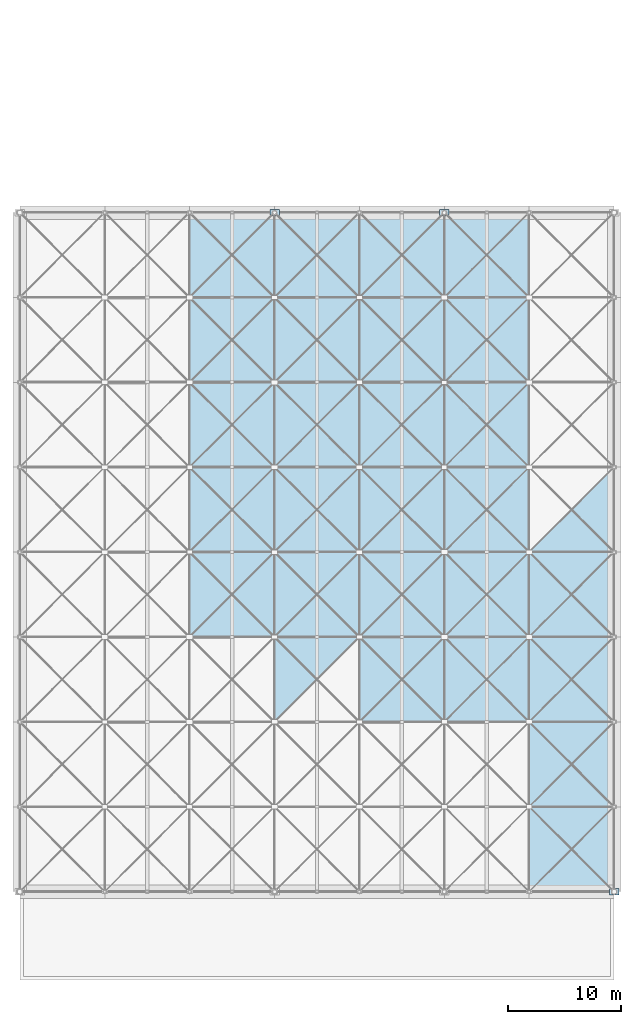
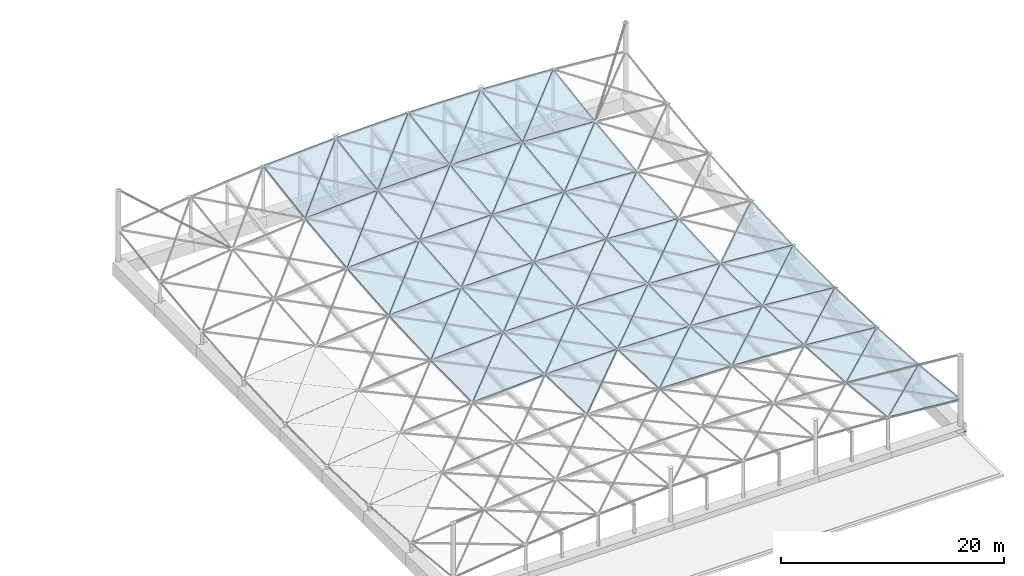
# One storey, part 11 of 17: 54 slabs, 3 plates.
"""IFC4 building model written with IfcOpenShell, lengths in metres."""

from ifc_helpers import new_model, si_unit, direction, frame, origin, origin_2d, place, context, subcontext, project, spatial, polyline, rectangle, outline, extrude, material, layer, layer_set, type_object, element, save


model = new_model("IFC4")

# Units and contexts
model_context = context("Model", 3, precision=1e-05, world=origin(), true_north=direction((0.0, 1.0)))
body_context = subcontext(model_context, "Body", "Model", "MODEL_VIEW")
ifc_project = project(units=[si_unit("LENGTHUNIT", "METRE"), si_unit("AREAUNIT", "SQUARE_METRE"), si_unit("VOLUMEUNIT", "CUBIC_METRE"), si_unit("PLANEANGLEUNIT", "RADIAN"), si_unit("MASSUNIT", "GRAM", prefix="KILO")], contexts=[model_context])

# Site, building, storey
site_placement = place(None, origin())
site = spatial("IfcSite", under=ifc_project, at=site_placement, CompositionType="ELEMENT")
building_placement = place(site_placement, origin())
building = spatial("IfcBuilding", under=site, at=building_placement, Name="Qasida Concert Hall", CompositionType="ELEMENT")
storey_placement = place(building_placement, frame((0.0, 0.0, 25.199951171875)))
storey = spatial("IfcBuildingStorey", under=building, at=storey_placement, Name="RF", CompositionType="ELEMENT", Elevation=25.199951171875)

# Plates
ifc_material_1 = material(Name="Steel S355J2", Category="steel")
ifc_layer_1 = layer(ifc_material_1, 0.0400390625, Name="Steel S355J2")
ifc_layer_set_1 = layer_set([ifc_layer_1], Name="Steel S355J2")
plate_type = type_object("IfcPlateType", Name="PLT-PL-MB1", PredefinedType="USERDEFINED", material=ifc_layer_set_1)
for number, where, z_axis, x_axis, name in (
    (1, (105.0, 22.5, 0.0), (0.0, 0.0, 1.0), (1.0, 0.0, 0.0), "Cable-net mast baseplate MS-02"),
    (2, (75.0, 82.5, 0.0), (0.0, 0.0, 1.0), (1.0, 0.0, 0.0), "Cable-net mast baseplate MS-07"),
    (3, (90.0, 82.5, 0.0), (0.0, 0.0, 1.0), (1.0, 0.0, 0.0), "Cable-net mast baseplate MS-08"),
):
    element("IfcPlate", number, at=place(storey_placement, frame(where, z_axis=z_axis, x_axis=x_axis)), inside=storey, type_object=plate_type, Name=name, ObjectType="GUSSET_PLATE", PredefinedType="USERDEFINED", context=body_context, shape_type="SweptSolid", body=[
        extrude(rectangle(XDim=0.840087890625, YDim=0.580078125, at=origin_2d()), origin(), (0.0, 0.0, 1.0), 0.0400390625),
    ])

# Slabs
ifc_material_2 = material(Name="Concrete C40/50", Category="concrete")
ifc_layer_2 = layer(ifc_material_2, 0.179931640625, Name="Concrete C40/50")
ifc_layer_set_2 = layer_set([ifc_layer_2], Name="Concrete C40/50")
slab_type = type_object("IfcSlabType", Name="SL-RS-180", PredefinedType="USERDEFINED", material=ifc_layer_set_2)
slab_1_placement = place(storey_placement, frame((67.5, 45.0, 2.686279296875), z_axis=(-0.056773929174, -0.009976872499, 0.998337209054), x_axis=(0.998386899, 0.0, 0.056776754966)))
element("IfcSlab", 4, at=slab_1_placement, inside=storey, type_object=slab_type, Name="Cable-net roof facet 039", ObjectType="TENSILE_ROOF_SHELL", PredefinedType="USERDEFINED", context=body_context, shape_type="SweptSolid", body=[
    extrude(outline(polyline([(0.0, 0.0), (7.5121178047403045, 0.0), (7.516373289060262, 7.500373295311284), (0.0, 0.0)])), origin(), (0.0, 0.0, -1.0), 0.179931640625),
])
slab_2_placement = place(storey_placement, frame((67.5, 45.0, 2.686279296875), z_axis=(-0.056773929174, -0.009976872499, 0.998337209054), x_axis=(0.706317819089, 0.706317819089, 0.047225807305)))
element("IfcSlab", 5, at=slab_2_placement, inside=storey, type_object=slab_type, Name="Cable-net roof facet 040", ObjectType="TENSILE_ROOF_SHELL", PredefinedType="USERDEFINED", context=body_context, shape_type="SweptSolid", body=[
    extrude(outline(polyline([(0.0, 0.0), (10.618449368411436, 9.992007221626409e-16), (5.300923272765394, 5.306206755717277), (0.0, 0.0)])), origin(), (0.0, 0.0, -1.0), 0.179931640625),
])
slab_3_placement = place(storey_placement, frame((67.5, 52.5, 2.76123046875), z_axis=(-0.056715196549, -0.046553859102, 0.997304429291), x_axis=(0.998386899, 0.0, 0.056776754966)))
element("IfcSlab", 6, at=slab_3_placement, inside=storey, type_object=slab_type, Name="Cable-net roof facet 041", ObjectType="TENSILE_ROOF_SHELL", PredefinedType="USERDEFINED", context=body_context, shape_type="SweptSolid", body=[
    extrude(outline(polyline([(0.0, 0.0), (7.5121178047403045, -3.469446951953614e-18), (7.53199521358336, 7.508140466022825), (0.0, 0.0)])), origin(), (0.0, 0.0, -1.0), 0.179931640625),
])
slab_4_placement = place(storey_placement, frame((67.5, 52.5, 2.76123046875), z_axis=(-0.056715196549, -0.046553859102, 0.997304429291), x_axis=(0.705218929047, 0.705218929047, 0.073024134548)))
element("IfcSlab", 7, at=slab_4_placement, inside=storey, type_object=slab_type, Name="Cable-net roof facet 042", ObjectType="TENSILE_ROOF_SHELL", PredefinedType="USERDEFINED", context=body_context, shape_type="SweptSolid", body=[
    extrude(outline(polyline([(0.0, 0.0), (10.63499530582746, 5.698566618583811e-16), (5.314707546210436, 5.303437759337389), (0.0, 0.0)])), origin(), (0.0, 0.0, -1.0), 0.179931640625),
])
slab_5_placement = place(storey_placement, frame((67.5, 60.0, 3.111328125), z_axis=(-0.056581263281, -0.082912440756, 0.994949289066), x_axis=(0.998386899, 0.0, 0.056776754966)))
element("IfcSlab", 8, at=slab_5_placement, inside=storey, type_object=slab_type, Name="Cable-net roof facet 043", ObjectType="TENSILE_ROOF_SHELL", PredefinedType="USERDEFINED", context=body_context, shape_type="SweptSolid", body=[
    extrude(outline(polyline([(0.0, 0.0), (7.5121178047403045, -6.938893903907228e-18), (7.547603276594016, 7.525912953342427), (0.0, 0.0)])), origin(), (0.0, 0.0, -1.0), 0.179931640625),
])
slab_6_placement = place(storey_placement, frame((67.5, 60.0, 3.111328125), z_axis=(-0.056581263281, -0.082912440756, 0.994949289066), x_axis=(0.703657366658, 0.703657366658, 0.098654045514)))
element("IfcSlab", 9, at=slab_6_placement, inside=storey, type_object=slab_type, Name="Cable-net roof facet 044", ObjectType="TENSILE_ROOF_SHELL", PredefinedType="USERDEFINED", context=body_context, shape_type="SweptSolid", body=[
    extrude(outline(polyline([(0.0, 0.0), (10.65859657751151, -1.734723475976807e-17), (5.3390890283801475, 5.304220333567485), (0.0, 0.0)])), origin(), (0.0, 0.0, -1.0), 0.179931640625),
])
slab_7_placement = place(storey_placement, frame((67.5, 67.5, 3.736328125), z_axis=(-0.056373701391, -0.118943024228, 0.991299431443), x_axis=(0.998386899, 0.0, 0.056776754966)))
element("IfcSlab", 10, at=slab_7_placement, inside=storey, type_object=slab_type, Name="Cable-net roof facet 045", ObjectType="TENSILE_ROOF_SHELL", PredefinedType="USERDEFINED", context=body_context, shape_type="SweptSolid", body=[
    extrude(outline(polyline([(0.0, 0.0), (7.5121178047403045, -6.938893903907228e-18), (7.563211339604671, 7.553622553383363), (0.0, 0.0)])), origin(), (0.0, 0.0, -1.0), 0.179931640625),
])
slab_8_placement = place(storey_placement, frame((67.5, 67.5, 3.736328125), z_axis=(-0.056373701391, -0.118943024228, 0.991299431443), x_axis=(0.70164160426, 0.70164160426, 0.124089154816)))
element("IfcSlab", 11, at=slab_8_placement, inside=storey, type_object=slab_type, Name="Cable-net roof facet 046", ObjectType="TENSILE_ROOF_SHELL", PredefinedType="USERDEFINED", context=body_context, shape_type="SweptSolid", body=[
    extrude(outline(polyline([(0.0, 0.0), (10.689217906213088, 1.1796119636642288e-16), (5.37398015320274, 5.3084989913599685), (0.0, 0.0)])), origin(), (0.0, 0.0, -1.0), 0.179931640625),
])
slab_9_placement = place(storey_placement, frame((67.5, 75.0, 4.63623046875), z_axis=(-0.056094658035, -0.154541264524, 0.986392612959), x_axis=(0.998386899, 0.0, 0.056776754966)))
element("IfcSlab", 12, at=slab_9_placement, inside=storey, type_object=slab_type, Name="Cable-net roof facet 047", ObjectType="TENSILE_ROOF_SHELL", PredefinedType="USERDEFINED", context=body_context, shape_type="SweptSolid", body=[
    extrude(outline(polyline([(0.0, 0.0), (7.5121178047403045, 0.0), (7.578833264127771, 7.591198113338675), (0.0, 0.0)])), origin(), (0.0, 0.0, -1.0), 0.179931640625),
])
slab_10_placement = place(storey_placement, frame((67.5, 75.0, 4.63623046875), z_axis=(-0.056094658035, -0.154541264524, 0.986392612959), x_axis=(0.699181032034, 0.699181032034, 0.149304282882)))
element("IfcSlab", 13, at=slab_10_placement, inside=storey, type_object=slab_type, Name="Cable-net roof facet 048", ObjectType="TENSILE_ROOF_SHELL", PredefinedType="USERDEFINED", context=body_context, shape_type="SweptSolid", body=[
    extrude(outline(polyline([(0.0, 0.0), (10.726835621067671, 1.3877787807814457e-16), (5.41929756289189, 5.316197294430669), (0.0, 0.0)])), origin(), (0.0, 0.0, -1.0), 0.179931640625),
])
slab_11_placement = place(storey_placement, frame((75.0, 37.5, 3.312744140625), z_axis=(-0.020951495568, 0.026644836755, 0.999425378659), x_axis=(0.707101044602, 0.707101044602, -0.004028082123)))
element("IfcSlab", 14, at=slab_11_placement, inside=storey, type_object=slab_type, Name="Cable-net roof facet 054", ObjectType="TENSILE_ROOF_SHELL", PredefinedType="USERDEFINED", context=body_context, shape_type="SweptSolid", body=[
    extrude(outline(polyline([(0.0, 0.0), (10.60668776726487, 6.342582709040201e-16), (5.304063254255643, 5.306306951731045), (0.0, 0.0)])), origin(), (0.0, 0.0, -1.0), 0.179931640625),
])
slab_12_placement = place(storey_placement, frame((75.0, 45.0, 3.11279296875), z_axis=(-0.020957890715, -0.009990795729, 0.999730439077), x_axis=(0.999780337359, 0.0, 0.02095893676)))
element("IfcSlab", 15, at=slab_12_placement, inside=storey, type_object=slab_type, Name="Cable-net roof facet 055", ObjectType="TENSILE_ROOF_SHELL", PredefinedType="USERDEFINED", context=body_context, shape_type="SweptSolid", body=[
    extrude(outline(polyline([(0.0, 0.0), (7.5016478317737345, 0.0), (7.503218728645131, 7.5003743380213), (0.0, 0.0)])), origin(), (0.0, 0.0, -1.0), 0.179931640625),
])
slab_13_placement = place(storey_placement, frame((75.0, 45.0, 3.11279296875), z_axis=(-0.020957890715, -0.009990795729, 0.999730439077), x_axis=(0.706937430258, 0.706937430258, 0.02188468412)))
element("IfcSlab", 16, at=slab_13_placement, inside=storey, type_object=slab_type, Name="Cable-net roof facet 056", ObjectType="TENSILE_ROOF_SHELL", PredefinedType="USERDEFINED", context=body_context, shape_type="SweptSolid", body=[
    extrude(outline(polyline([(0.0, 0.0), (10.609142590253914, 4.0549161250957866e-16), (5.303671009659605, 5.3034603326), (0.0, 0.0)])), origin(), (0.0, 0.0, -1.0), 0.179931640625),
])
slab_14_placement = place(storey_placement, frame((75.0, 52.5, 3.187744140625), z_axis=(-0.020936149317, -0.046618692734, 0.998693333882), x_axis=(0.999780337359, 0.0, 0.02095893676)))
element("IfcSlab", 17, at=slab_14_placement, inside=storey, type_object=slab_type, Name="Cable-net roof facet 057", ObjectType="TENSILE_ROOF_SHELL", PredefinedType="USERDEFINED", context=body_context, shape_type="SweptSolid", body=[
    extrude(outline(polyline([(0.0, 0.0), (7.5016478317737345, -8.673617379884035e-19), (7.508985506410813, 7.508163192648563), (0.0, 0.0)])), origin(), (0.0, 0.0, -1.0), 0.179931640625),
])
slab_15_placement = place(storey_placement, frame((75.0, 52.5, 3.187744140625), z_axis=(-0.020936149317, -0.046618692734, 0.998693333882), x_axis=(0.706299305844, 0.706299305844, 0.047776365805)))
element("IfcSlab", 18, at=slab_15_placement, inside=storey, type_object=slab_type, Name="Cable-net roof facet 058", ObjectType="TENSILE_ROOF_SHELL", PredefinedType="USERDEFINED", context=body_context, shape_type="SweptSolid", body=[
    extrude(outline(polyline([(0.0, 0.0), (10.61872769511161, 7.008282842946301e-16), (5.313971187519953, 5.3041755803441815), (0.0, 0.0)])), origin(), (0.0, 0.0, -1.0), 0.179931640625),
])
slab_16_placement = place(storey_placement, frame((75.0, 60.0, 3.537841796875), z_axis=(-0.020886571163, -0.08302736363, 0.99632836356), x_axis=(0.999780337359, 0.0, 0.02095893676)))
element("IfcSlab", 19, at=slab_16_placement, inside=storey, type_object=slab_type, Name="Cable-net roof facet 059", ObjectType="TENSILE_ROOF_SHELL", PredefinedType="USERDEFINED", context=body_context, shape_type="SweptSolid", body=[
    extrude(outline(polyline([(0.0, 0.0), (7.5016478317737345, -1.734723475976807e-18), (7.514747167248574, 7.525985211745378), (0.0, 0.0)])), origin(), (0.0, 0.0, -1.0), 0.179931640625),
])
slab_17_placement = place(storey_placement, frame((75.0, 60.0, 3.537841796875), z_axis=(-0.020886571163, -0.08302736363, 0.99632836356), x_axis=(0.705191641595, 0.705191641595, 0.073549284494)))
element("IfcSlab", 20, at=slab_17_placement, inside=storey, type_object=slab_type, Name="Cable-net roof facet 060", ObjectType="TENSILE_ROOF_SHELL", PredefinedType="USERDEFINED", context=body_context, shape_type="SweptSolid", body=[
    extrude(outline(polyline([(0.0, 0.0), (10.635406827906518, -6.938893903907228e-17), (5.334905614770078, 5.308427929386882), (0.0, 0.0)])), origin(), (0.0, 0.0, -1.0), 0.179931640625),
])
slab_18_placement = place(storey_placement, frame((75.0, 67.5, 4.162841796875), z_axis=(-0.020809739789, -0.119106678356, 0.992663363835), x_axis=(0.999780337359, 0.0, 0.02095893676)))
element("IfcSlab", 21, at=slab_18_placement, inside=storey, type_object=slab_type, Name="Cable-net roof facet 061", ObjectType="TENSILE_ROOF_SHELL", PredefinedType="USERDEFINED", context=body_context, shape_type="SweptSolid", body=[
    extrude(outline(polyline([(0.0, 0.0), (7.5016478317737345, -3.469446951953614e-18), (7.520508828086335, 7.553771805601811), (0.0, 0.0)])), origin(), (0.0, 0.0, -1.0), 0.179931640625),
])
slab_19_placement = place(storey_placement, frame((75.0, 67.5, 4.162841796875), z_axis=(-0.020809739789, -0.119106678356, 0.992663363835), x_axis=(0.703620700272, 0.703620700272, 0.099175704172)))
element("IfcSlab", 22, at=slab_19_placement, inside=storey, type_object=slab_type, Name="Cable-net roof facet 062", ObjectType="TENSILE_ROOF_SHELL", PredefinedType="USERDEFINED", context=body_context, shape_type="SweptSolid", body=[
    extrude(outline(polyline([(0.0, 0.0), (10.65915200775509, -3.885780586188048e-16), (5.366403700666181, 5.316157968849597), (0.0, 0.0)])), origin(), (0.0, 0.0, -1.0), 0.179931640625),
])
slab_20_placement = place(storey_placement, frame((75.0, 75.0, 5.062744140625), z_axis=(-0.020706452425, -0.154751794286, 0.987736364114), x_axis=(0.999780337359, 0.0, 0.02095893676)))
element("IfcSlab", 23, at=slab_20_placement, inside=storey, type_object=slab_type, Name="Cable-net roof facet 063", ObjectType="TENSILE_ROOF_SHELL", PredefinedType="USERDEFINED", context=body_context, shape_type="SweptSolid", body=[
    extrude(outline(polyline([(0.0, 0.0), (7.5016478317737345, -3.469446951953614e-18), (7.526275605852016, 7.591451325090735), (0.0, 0.0)])), origin(), (0.0, 0.0, -1.0), 0.179931640625),
])
slab_21_placement = place(storey_placement, frame((75.0, 75.0, 5.062744140625), z_axis=(-0.020706452425, -0.154751794286, 0.987736364114), x_axis=(0.701593777794, 0.701593777794, 0.124628816583)))
element("IfcSlab", 24, at=slab_21_placement, inside=storey, type_object=slab_type, Name="Cable-net roof facet 064", ObjectType="TENSILE_ROOF_SHELL", PredefinedType="USERDEFINED", context=body_context, shape_type="SweptSolid", body=[
    extrude(outline(polyline([(0.0, 0.0), (10.689946572198808, 1.6653345369377348e-16), (5.408398278327566, 5.327285219646247), (0.0, 0.0)])), origin(), (0.0, 0.0, -1.0), 0.179931640625),
])
slab_22_placement = place(storey_placement, frame((82.5, 37.5, 3.469970703125), z_axis=(0.014966963037, 0.026647701582, 0.999532835888), x_axis=(0.999887909135, 0.0, -0.014972279889)))
element("IfcSlab", 25, at=slab_22_placement, inside=storey, type_object=slab_type, Name="Cable-net roof facet 069", ObjectType="TENSILE_ROOF_SHELL", PredefinedType="USERDEFINED", context=body_context, shape_type="SweptSolid", body=[
    extrude(outline(polyline([(0.0, 0.0), (7.500840775728709, 4.336808689942018e-19), (7.503834500638234, 7.502664294018849), (0.0, 0.0)])), origin(), (0.0, 0.0, -1.0), 0.179931640625),
])
slab_23_placement = place(storey_placement, frame((82.5, 37.5, 3.469970703125), z_axis=(0.014966963037, 0.026647701582, 0.999532835888), x_axis=(0.706800555592, 0.706800555592, -0.029427015319)))
element("IfcSlab", 26, at=slab_23_placement, inside=storey, type_object=slab_type, Name="Cable-net roof facet 070", ObjectType="TENSILE_ROOF_SHELL", PredefinedType="USERDEFINED", context=body_context, shape_type="SweptSolid", body=[
    extrude(outline(polyline([(0.0, 0.0), (10.611197091832478, 3.686287386450715e-17), (5.306888133135422, 5.303481763287269), (0.0, 0.0)])), origin(), (0.0, 0.0, -1.0), 0.179931640625),
])
slab_24_placement = place(storey_placement, frame((82.5, 45.0, 3.27001953125), z_axis=(0.014971532473, -0.009991870586, 0.999837994746), x_axis=(0.999887909135, 0.0, -0.014972279889)))
element("IfcSlab", 27, at=slab_24_placement, inside=storey, type_object=slab_type, Name="Cable-net roof facet 071", ObjectType="TENSILE_ROOF_SHELL", PredefinedType="USERDEFINED", context=body_context, shape_type="SweptSolid", body=[
    extrude(outline(polyline([(0.0, 0.0), (7.500840775728709, -2.168404344971009e-19), (7.4997185858053586, 7.50037441857773), (0.0, 0.0)])), origin(), (0.0, 0.0, -1.0), 0.179931640625),
])
slab_25_placement = place(storey_placement, frame((82.5, 45.0, 3.27001953125), z_axis=(0.014971532473, -0.009991870586, 0.999837994746), x_axis=(0.707102396269, 0.707102396269, -0.003521701388)))
element("IfcSlab", 28, at=slab_25_placement, inside=storey, type_object=slab_type, Name="Cable-net roof facet 072", ObjectType="TENSILE_ROOF_SHELL", PredefinedType="USERDEFINED", context=body_context, shape_type="SweptSolid", body=[
    extrude(outline(polyline([(0.0, 0.0), (10.606667491966059, 3.458604930228759e-16), (5.303004016373124, 5.304127268504778), (0.0, 0.0)])), origin(), (0.0, 0.0, -1.0), 0.179931640625),
])
slab_26_placement = place(storey_placement, frame((82.5, 52.5, 3.344970703125), z_axis=(0.014955997896, -0.046623697788, 0.998800555132), x_axis=(0.999887909135, 0.0, -0.014972279889)))
element("IfcSlab", 29, at=slab_26_placement, inside=storey, type_object=slab_type, Name="Cable-net roof facet 073", ObjectType="TENSILE_ROOF_SHELL", PredefinedType="USERDEFINED", context=body_context, shape_type="SweptSolid", body=[
    extrude(outline(polyline([(0.0, 0.0), (7.500840775728709, 0.0), (7.495599015630713, 7.508164948431995), (0.0, 0.0)])), origin(), (0.0, 0.0, -1.0), 0.179931640625),
])
slab_27_placement = place(storey_placement, frame((82.5, 52.5, 3.344970703125), z_axis=(0.014955997896, -0.046623697788, 0.998800555132), x_axis=(0.706929142798, 0.706929142798, 0.022413703942)))
element("IfcSlab", 30, at=slab_27_placement, inside=storey, type_object=slab_type, Name="Cable-net roof facet 074", ObjectType="TENSILE_ROOF_SHELL", PredefinedType="USERDEFINED", context=body_context, shape_type="SweptSolid", body=[
    extrude(outline(polyline([(0.0, 0.0), (10.60926696317832, -7.095019016745141e-16), (5.309815556206516, 5.308335626915374), (0.0, 0.0)])), origin(), (0.0, 0.0, -1.0), 0.179931640625),
])
slab_28_placement = place(storey_placement, frame((82.5, 60.0, 3.695068359375), z_axis=(0.014920573549, -0.083036235401, 0.996434824811), x_axis=(0.999887909135, 0.0, -0.014972279889)))
element("IfcSlab", 31, at=slab_28_placement, inside=storey, type_object=slab_type, Name="Cable-net roof facet 075", ObjectType="TENSILE_ROOF_SHELL", PredefinedType="USERDEFINED", context=body_context, shape_type="SweptSolid", body=[
    extrude(outline(polyline([(0.0, 0.0), (7.500840775728709, -1.734723475976807e-18), (7.491483100797837, 7.525990794169223), (0.0, 0.0)])), origin(), (0.0, 0.0, -1.0), 0.179931640625),
])
slab_29_placement = place(storey_placement, frame((82.5, 60.0, 3.695068359375), z_axis=(0.014920573549, -0.083036235401, 0.996434824811), x_axis=(0.706282147743, 0.706282147743, 0.048281006193)))
element("IfcSlab", 32, at=slab_29_placement, inside=storey, type_object=slab_type, Name="Cable-net roof facet 076", ObjectType="TENSILE_ROOF_SHELL", PredefinedType="USERDEFINED", context=body_context, shape_type="SweptSolid", body=[
    extrude(outline(polyline([(0.0, 0.0), (10.618985661703263, 5.620504062164855e-16), (5.327291736943425, 5.316068824751454), (0.0, 0.0)])), origin(), (0.0, 0.0, -1.0), 0.179931640625),
])
slab_30_placement = place(storey_placement, frame((82.5, 67.5, 4.320068359375), z_axis=(0.014865676466, -0.119119311856, 0.992768654424), x_axis=(0.999887909135, 0.0, -0.014972279889)))
element("IfcSlab", 33, at=slab_30_placement, inside=storey, type_object=slab_type, Name="Cable-net roof facet 077", ObjectType="TENSILE_ROOF_SHELL", PredefinedType="USERDEFINED", context=body_context, shape_type="SweptSolid", body=[
    extrude(outline(polyline([(0.0, 0.0), (7.500840775728709, 0.0), (7.4873671859649615, 7.553783336227324), (0.0, 0.0)])), origin(), (0.0, 0.0, -1.0), 0.179931640625),
])
slab_31_placement = place(storey_placement, frame((82.5, 67.5, 4.320068359375), z_axis=(0.014865676466, -0.119119311856, 0.992768654424), x_axis=(0.705165359594, 0.705165359594, 0.074051544598)))
element("IfcSlab", 34, at=slab_31_placement, inside=storey, type_object=slab_type, Name="Cable-net roof facet 078", ObjectType="TENSILE_ROOF_SHELL", PredefinedType="USERDEFINED", context=body_context, shape_type="SweptSolid", body=[
    extrude(outline(polyline([(0.0, 0.0), (10.63580321687697, 9.71445146547012e-17), (5.355379355496988, 5.3272634801559615), (0.0, 0.0)])), origin(), (0.0, 0.0, -1.0), 0.179931640625),
])
slab_32_placement = place(storey_placement, frame((82.5, 75.0, 5.219970703125), z_axis=(0.014791876415, -0.154768046056, 0.987840094505), x_axis=(0.999887909135, 0.0, -0.014972279889)))
element("IfcSlab", 35, at=slab_32_placement, inside=storey, type_object=slab_type, Name="Cable-net roof facet 079", ObjectType="TENSILE_ROOF_SHELL", PredefinedType="USERDEFINED", context=body_context, shape_type="SweptSolid", body=[
    extrude(outline(polyline([(0.0, 0.0), (7.500840775728709, 0.0), (7.483247615790316, 7.59147088706802), (0.0, 0.0)])), origin(), (0.0, 0.0, -1.0), 0.179931640625),
])
slab_33_placement = place(storey_placement, frame((82.5, 75.0, 5.219970703125), z_axis=(0.014791876415, -0.154768046056, 0.987840094505), x_axis=(0.70358384438, 0.70358384438, 0.099697281074)))
element("IfcSlab", 36, at=slab_33_placement, inside=storey, type_object=slab_type, Name="Cable-net roof facet 080", ObjectType="TENSILE_ROOF_SHELL", PredefinedType="USERDEFINED", context=body_context, shape_type="SweptSolid", body=[
    extrude(outline(polyline([(0.0, 0.0), (10.659710367004948, 4.440892098500626e-16), (5.3940280061468036, 5.341835042135041), (0.0, 0.0)])), origin(), (0.0, 0.0, -1.0), 0.179931640625),
])
slab_34_placement = place(storey_placement, frame((90.0, 37.5, 3.357666015625), z_axis=(0.050795177766, 0.026616283167, 0.998354357624), x_axis=(0.998708175982, 0.0, -0.050813179657)))
element("IfcSlab", 37, at=slab_34_placement, inside=storey, type_object=slab_type, Name="Cable-net roof facet 085", ObjectType="TENSILE_ROOF_SHELL", PredefinedType="USERDEFINED", context=body_context, shape_type="SweptSolid", body=[
    extrude(outline(polyline([(0.0, 0.0), (7.509701212394692, -1.734723475976807e-18), (7.519861367213782, 7.502658011824094), (0.0, 0.0)])), origin(), (0.0, 0.0, -1.0), 0.179931640625),
])
slab_35_placement = place(storey_placement, frame((90.0, 37.5, 3.357666015625), z_axis=(0.050795177766, 0.026616283167, 0.998354357624), x_axis=(0.706046335861, 0.706046335861, -0.054746170964)))
element("IfcSlab", 38, at=slab_35_placement, inside=storey, type_object=slab_type, Name="Cable-net roof facet 086", ObjectType="TENSILE_ROOF_SHELL", PredefinedType="USERDEFINED", context=body_context, shape_type="SweptSolid", body=[
    extrude(outline(polyline([(0.0, 0.0), (10.622532288701342, 3.382710778154774e-16), (5.306294079995524, 5.304076131404852), (0.0, 0.0)])), origin(), (0.0, 0.0, -1.0), 0.179931640625),
])
slab_36_placement = place(storey_placement, frame((90.0, 45.0, 3.15771484375), z_axis=(0.050810649045, -0.009980082698, 0.998658438052), x_axis=(0.998708175982, 0.0, -0.050813179657)))
element("IfcSlab", 39, at=slab_36_placement, inside=storey, type_object=slab_type, Name="Cable-net roof facet 087", ObjectType="TENSILE_ROOF_SHELL", PredefinedType="USERDEFINED", context=body_context, shape_type="SweptSolid", body=[
    extrude(outline(polyline([(0.0, 0.0), (7.509701212394692, 0.0), (7.505892705032712, 7.500373535593886), (0.0, 0.0)])), origin(), (0.0, 0.0, -1.0), 0.179931640625),
])
slab_37_placement = place(storey_placement, frame((90.0, 45.0, 3.15771484375), z_axis=(0.050810649045, -0.009980082698, 0.998658438052), x_axis=(0.706811463314, 0.706811463314, -0.028898281182)))
element("IfcSlab", 40, at=slab_37_placement, inside=storey, type_object=slab_type, Name="Cable-net roof facet 088", ObjectType="TENSILE_ROOF_SHELL", PredefinedType="USERDEFINED", context=body_context, shape_type="SweptSolid", body=[
    extrude(outline(polyline([(0.0, 0.0), (10.6110333367161, 6.245004513516506e-16), (5.298920014816662, 5.308207263732345), (0.0, 0.0)])), origin(), (0.0, 0.0, -1.0), 0.179931640625),
])
slab_38_placement = place(storey_placement, frame((90.0, 52.5, 3.232666015625), z_axis=(0.050758128389, -0.046536403059, 0.997626170263), x_axis=(0.998708175982, 0.0, -0.050813179657)))
element("IfcSlab", 41, at=slab_38_placement, inside=storey, type_object=slab_type, Name="Cable-net roof facet 089", ObjectType="TENSILE_ROOF_SHELL", PredefinedType="USERDEFINED", context=body_context, shape_type="SweptSolid", body=[
    extrude(outline(polyline([(0.0, 0.0), (7.509701212394692, 0.0), (7.491924042851642, 7.508134352463214), (0.0, 0.0)])), origin(), (0.0, 0.0, -1.0), 0.179931640625),
])
slab_39_placement = place(storey_placement, frame((90.0, 52.5, 3.232666015625), z_axis=(0.050790442668, -0.046568730681, 0.997623017104), x_axis=(0.707103615511, 0.707103615511, -0.002992300456)))
element("IfcSlab", 42, at=slab_39_placement, inside=storey, type_object=slab_type, Name="Cable-net roof facet 090", ObjectType="TENSILE_ROOF_SHELL", PredefinedType="USERDEFINED", context=body_context, shape_type="SweptSolid", body=[
    extrude(outline(polyline([(0.0, 0.0), (10.606649203141242, -8.81239525796218e-16), (5.302229518957354, 5.315912950492043), (0.0, 0.0)])), origin(), (0.0, 0.0, -1.0), 0.179931640625),
])
slab_40_placement = place(storey_placement, frame((90.0, 60.0, 3.582763671875), z_axis=(0.05067042437, -0.082938802037, 0.995265624449), x_axis=(0.998706525654, 0.0, -0.050845605668)))
element("IfcSlab", 43, at=slab_40_placement, inside=storey, type_object=slab_type, Name="Cable-net roof facet 091", ObjectType="TENSILE_ROOF_SHELL", PredefinedType="USERDEFINED", context=body_context, shape_type="SweptSolid", body=[
    extrude(outline(polyline([(0.0, 0.0), (7.509713621914388, 0.0), (7.477935118371843, 7.525929519116732), (0.0, 0.0)])), origin(), (0.0, 0.0, -1.0), 0.179931640625),
])
slab_41_placement = place(storey_placement, frame((90.0, 60.0, 3.582763671875), z_axis=(0.05067042437, -0.082938802037, 0.995265624449), x_axis=(0.706921030635, 0.706921030635, 0.02291970529)))
element("IfcSlab", 44, at=slab_41_placement, inside=storey, type_object=slab_type, Name="Cable-net roof facet 092", ObjectType="TENSILE_ROOF_SHELL", PredefinedType="USERDEFINED", context=body_context, shape_type="SweptSolid", body=[
    extrude(outline(polyline([(0.0, 0.0), (10.609388708181614, -6.279698983036042e-16), (5.316232545572315, 5.327128356009241), (0.0, 0.0)])), origin(), (0.0, 0.0, -1.0), 0.179931640625),
])
slab_42_placement = place(storey_placement, frame((90.0, 67.5, 4.207763671875), z_axis=(0.050484234235, -0.11901238595, 0.991608488308), x_axis=(0.998706525654, 0.0, -0.050845605668)))
element("IfcSlab", 45, at=slab_42_placement, inside=storey, type_object=slab_type, Name="Cable-net roof facet 093", ObjectType="TENSILE_ROOF_SHELL", PredefinedType="USERDEFINED", context=body_context, shape_type="SweptSolid", body=[
    extrude(outline(polyline([(0.0, 0.0), (7.509713621914388, 0.0), (7.4639451287263565, 7.553685784990264), (0.0, 0.0)])), origin(), (0.0, 0.0, -1.0), 0.179931640625),
])
slab_43_placement = place(storey_placement, frame((90.0, 67.5, 4.207763671875), z_axis=(0.050452231294, -0.11898075787, 0.991613912576), x_axis=(0.706264017882, 0.706264017882, 0.048808545246)))
element("IfcSlab", 46, at=slab_43_placement, inside=storey, type_object=slab_type, Name="Cable-net roof facet 094", ObjectType="TENSILE_ROOF_SHELL", PredefinedType="USERDEFINED", context=body_context, shape_type="SweptSolid", body=[
    extrude(outline(polyline([(0.0, 0.0), (10.619258252015623, -2.0816681711721685e-17), (5.340903058380555, 5.341776740867031), (0.0, 0.0)])), origin(), (0.0, 0.0, -1.0), 0.179931640625),
])
slab_44_placement = place(storey_placement, frame((90.0, 75.0, 5.107666015625), z_axis=(0.050202341235, -0.154589807016, 0.986702445777), x_axis=(0.998708175982, 0.0, -0.050813179657)))
element("IfcSlab", 47, at=slab_44_placement, inside=storey, type_object=slab_type, Name="Cable-net roof facet 095", ObjectType="TENSILE_ROOF_SHELL", PredefinedType="USERDEFINED", context=body_context, shape_type="SweptSolid", body=[
    extrude(outline(polyline([(0.0, 0.0), (7.509701212394692, 0.0), (7.449993245185554, 7.591256464323261), (0.0, 0.0)])), origin(), (0.0, 0.0, -1.0), 0.179931640625),
])
slab_45_placement = place(storey_placement, frame((90.0, 75.0, 5.107666015625), z_axis=(0.050202341235, -0.154589807016, 0.986702445777), x_axis=(0.705136486595, 0.705136486595, 0.074599400437)))
element("IfcSlab", 48, at=slab_45_placement, inside=storey, type_object=slab_type, Name="Cable-net roof facet 096", ObjectType="TENSILE_ROOF_SHELL", PredefinedType="USERDEFINED", context=body_context, shape_type="SweptSolid", body=[
    extrude(outline(polyline([(0.0, 0.0), (10.636238717725362, -1.3877787807814457e-16), (5.37618158752333, 5.359795825071423), (0.0, 0.0)])), origin(), (0.0, 0.0, -1.0), 0.179931640625),
])
slab_46_placement = place(storey_placement, frame((97.5, 22.5, 4.200927734375), z_axis=(0.086032989816, 0.099134787965, 0.991347879646), x_axis=(0.996255419657, 0.0, -0.086458885052)))
element("IfcSlab", 49, at=slab_46_placement, inside=storey, type_object=slab_type, Name="Cable-net roof facet 097", ObjectType="TENSILE_ROOF_SHELL", PredefinedType="USERDEFINED", context=body_context, shape_type="SweptSolid", body=[
    extrude(outline(polyline([(0.0, 0.0), (7.52818991196431, 1.3877787807814457e-17), (7.593034075753494, 7.537127784137834), (0.0, 0.0)])), origin(), (0.0, 0.0, -1.0), 0.179931640625),
])
slab_47_placement = place(storey_placement, frame((97.5, 22.5, 4.200927734375), z_axis=(0.086032989816, 0.099134787965, 0.991347879646), x_axis=(0.701018892578, 0.701018892578, -0.130939010599)))
element("IfcSlab", 50, at=slab_47_placement, inside=storey, type_object=slab_type, Name="Cable-net roof facet 098", ObjectType="TENSILE_ROOF_SHELL", PredefinedType="USERDEFINED", context=body_context, shape_type="SweptSolid", body=[
    extrude(outline(polyline([(0.0, 0.0), (10.698713086627578, -6.817463260588852e-16), (5.3558459522863675, 5.303528460881279), (0.0, 0.0)])), origin(), (0.0, 0.0, -1.0), 0.179931640625),
])
slab_48_placement = place(storey_placement, frame((97.5, 30.0, 3.450927734375), z_axis=(0.086287224948, 0.062983848368, 0.994277400757), x_axis=(0.996255419657, 0.0, -0.086458885052)))
element("IfcSlab", 51, at=slab_48_placement, inside=storey, type_object=slab_type, Name="Cable-net roof facet 099", ObjectType="TENSILE_ROOF_SHELL", PredefinedType="USERDEFINED", context=body_context, shape_type="SweptSolid", body=[
    extrude(outline(polyline([(0.0, 0.0), (7.52818991196431, 0.0), (7.5692663256146195, 7.514920525941434), (0.0, 0.0)])), origin(), (0.0, 0.0, -1.0), 0.179931640625),
])
slab_49_placement = place(storey_placement, frame((97.5, 30.0, 3.450927734375), z_axis=(0.086319525554, 0.062951435021, 0.9942766498), x_axis=(0.703155760656, 0.703155760656, -0.105564920838)))
element("IfcSlab", 52, at=slab_49_placement, inside=storey, type_object=slab_type, Name="Cable-net roof facet 100", ObjectType="TENSILE_ROOF_SHELL", PredefinedType="USERDEFINED", context=body_context, shape_type="SweptSolid", body=[
    extrude(outline(polyline([(0.0, 0.0), (10.666200036531253, 9.020562075079397e-17), (5.323796078709337, 5.30402499745434), (0.0, 0.0)])), origin(), (0.0, 0.0, -1.0), 0.179931640625),
])
slab_50_placement = place(storey_placement, frame((97.5, 37.5, 2.97607421875), z_axis=(0.086460581387, 0.026550887198, 0.995901409907), x_axis=(0.996252625766, 0.0, -0.086491072686)))
element("IfcSlab", 53, at=slab_50_placement, inside=storey, type_object=slab_type, Name="Cable-net roof facet 101", ObjectType="TENSILE_ROOF_SHELL", PredefinedType="USERDEFINED", context=body_context, shape_type="SweptSolid", body=[
    extrude(outline(polyline([(0.0, 0.0), (7.528211024019704, 3.469446951953614e-18), (7.545505015360021, 7.502644959545782), (0.0, 0.0)])), origin(), (0.0, 0.0, -1.0), 0.179931640625),
])
slab_51_placement = place(storey_placement, frame((97.5, 37.5, 2.97607421875), z_axis=(0.086460581387, 0.026550887198, 0.995901409907), x_axis=(0.704841373475, 0.704841373475, -0.07998297617)))
element("IfcSlab", 54, at=slab_51_placement, inside=storey, type_object=slab_type, Name="Cable-net roof facet 102", ObjectType="TENSILE_ROOF_SHELL", PredefinedType="USERDEFINED", context=body_context, shape_type="SweptSolid", body=[
    extrude(outline(polyline([(0.0, 0.0), (10.640692051075481, -1.3877787807814457e-16), (5.302302990874464, 5.3080658873169515), (0.0, 0.0)])), origin(), (0.0, 0.0, -1.0), 0.179931640625),
])
slab_52_placement = place(storey_placement, frame((97.5, 45.0, 2.776123046875), z_axis=(0.086486786389, -0.00995554684, 0.996203253793), x_axis=(0.996252625766, 0.0, -0.086491072686)))
element("IfcSlab", 55, at=slab_52_placement, inside=storey, type_object=slab_type, Name="Cable-net roof facet 103", ObjectType="TENSILE_ROOF_SHELL", PredefinedType="USERDEFINED", context=body_context, shape_type="SweptSolid", body=[
    extrude(outline(polyline([(0.0, 0.0), (7.528211024019704, 8.673617379884035e-19), (7.521728416765153, 7.500371701053797), (0.0, 0.0)])), origin(), (0.0, 0.0, -1.0), 0.179931640625),
])
slab_53_placement = place(storey_placement, frame((97.5, 45.0, 2.776123046875), z_axis=(0.086486786389, -0.00995554684, 0.996203253793), x_axis=(0.706065790777, 0.706065790777, -0.054242033406)))
element("IfcSlab", 56, at=slab_53_placement, inside=storey, type_object=slab_type, Name="Cable-net roof facet 104", ObjectType="TENSILE_ROOF_SHELL", PredefinedType="USERDEFINED", context=body_context, shape_type="SweptSolid", body=[
    extrude(outline(polyline([(0.0, 0.0), (10.622239595751031, -4.0245584642661925e-16), (5.291427926861155, 5.315675702391871), (0.0, 0.0)])), origin(), (0.0, 0.0, -1.0), 0.179931640625),
])
slab_54_placement = place(storey_placement, frame((97.5, 52.5, 2.85107421875), z_axis=(0.086397697305, -0.046454554906, 0.995177075816), x_axis=(0.996252625766, 0.0, -0.086491072686)))
element("IfcSlab", 57, at=slab_54_placement, inside=storey, type_object=slab_type, Name="Cable-net roof facet 105", ObjectType="TENSILE_ROOF_SHELL", PredefinedType="USERDEFINED", context=body_context, shape_type="SweptSolid", body=[
    extrude(outline(polyline([(0.0, 0.0), (7.528211024019704, -6.938893903907228e-18), (7.497930702185742, 7.508105717890592), (0.0, 0.0)])), origin(), (0.0, 0.0, -1.0), 0.179931640625),
])

save(model, "model.ifc")
